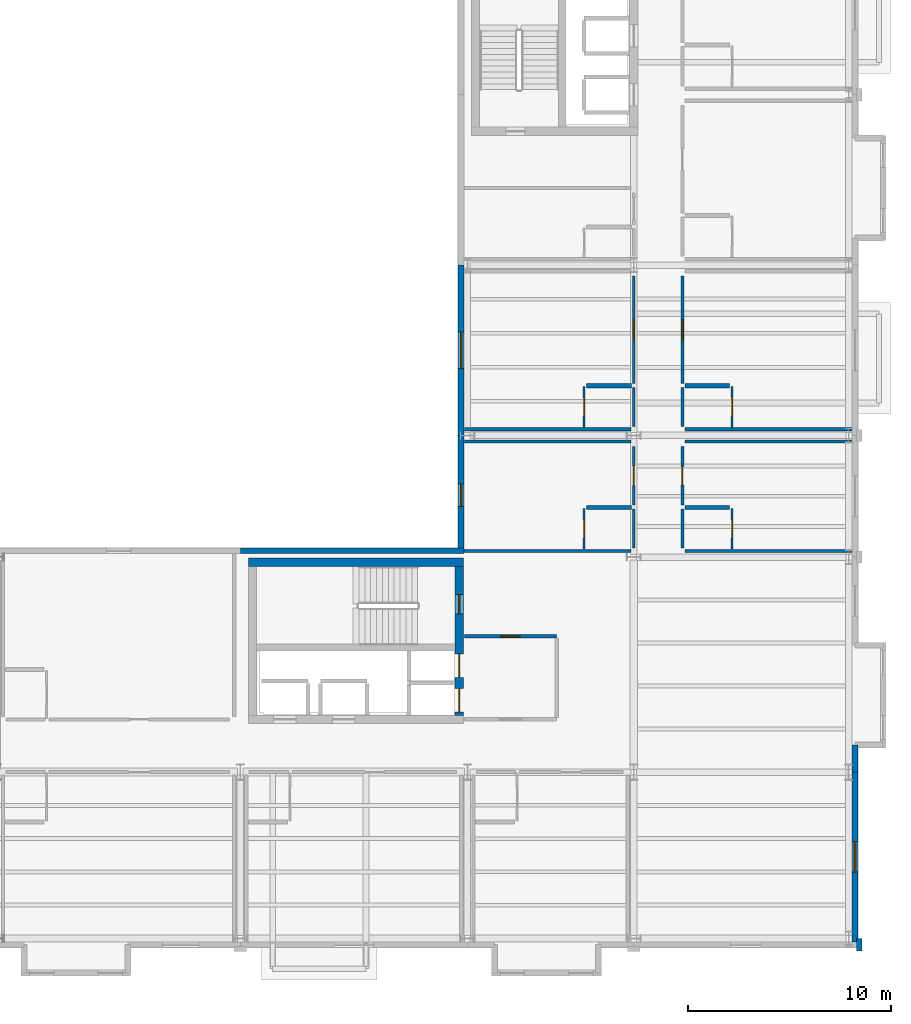
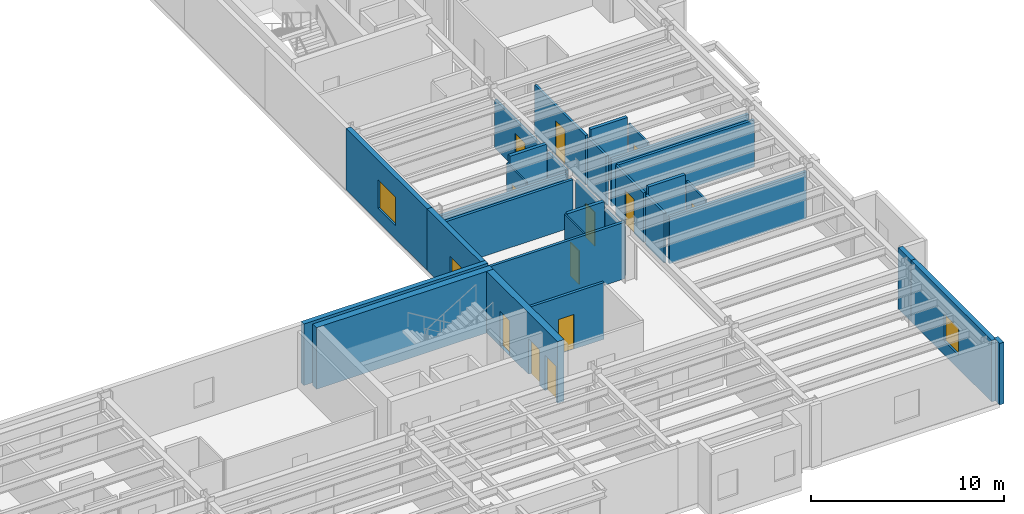
# One storey, part 36 of 46: 31 walls, 12 doors, 3 windows, 15 openings.
"""IFC4 building model written with IfcOpenShell, lengths in metres."""

from ifc_helpers import new_model, si_unit, direction, frame, frame_2d, origin, place, context, subcontext, project, spatial, rectangle, extrude, material, layer, layer_set, type_object, element, fill, save


model = new_model("IFC4")

# Units and contexts
model_context = context("Model", 3, precision=1e-05, world=origin(), true_north=direction((0.0, 1.0)))
body_context = subcontext(model_context, "Body", "Model", "MODEL_VIEW")
ifc_project = project(units=[si_unit("LENGTHUNIT", "METRE"), si_unit("AREAUNIT", "SQUARE_METRE"), si_unit("VOLUMEUNIT", "CUBIC_METRE"), si_unit("PLANEANGLEUNIT", "RADIAN"), si_unit("MASSUNIT", "GRAM", prefix="KILO")], contexts=[model_context])

# Site, building, storey
site_placement = place(None, origin())
site = spatial("IfcSite", under=ifc_project, at=site_placement, CompositionType="ELEMENT")
building_placement = place(site_placement, origin())
building = spatial("IfcBuilding", under=site, at=building_placement, Name="Sollismere Congress Hotel", CompositionType="ELEMENT")
storey_placement = place(building_placement, frame((0.0, 0.0, 19.5)))
storey = spatial("IfcBuildingStorey", under=building, at=storey_placement, Name="L04", CompositionType="ELEMENT", Elevation=19.5)

# Wall, opening, window
ifc_material_1 = material(Name="Colorado Buff Sandstone Rainscreen on Insulated Backup", Category="masonry")
ifc_layer_1 = layer(ifc_material_1, 0.284912109375, Name="Colorado Buff Sandstone Rainscreen on Insulated Backup")
ifc_layer_set_1 = layer_set([ifc_layer_1], Name="Colorado Buff Sandstone Rainscreen on Insulated Backup")
wall_type_1 = type_object("IfcWallType", Name="WL-EXT285", PredefinedType="STANDARD", material=ifc_layer_set_1)
wall_1_placement = place(storey_placement, frame((166.31005859375, -0.16552734375, 0.0), z_axis=(0.0, 0.0, 1.0), x_axis=(0.0, 1.0, 0.0)))
wall_1 = element("IfcWall", 1, at=wall_1_placement, inside=storey, type_object=wall_type_1, Name="Exterior wall EW-L04-519", PredefinedType="STANDARD", context=body_context, shape_type="SweptSolid", body=[
    extrude(rectangle(XDim=8.365478515625, YDim=0.284912109375, at=frame_2d((4.1826171875, 0.0))), origin(), (0.0, 0.0, 1.0), 3.89990234375),
])
opening_1_placement = place(wall_1_placement, frame((3.4326171875, 0.0, 0.8798828125)))
opening_1 = element("IfcOpeningElement", 2, at=opening_1_placement, cuts=wall_1, Name="Opening W-L04-394", PredefinedType="OPENING", context=body_context, shape_type="SweptSolid", body=[
    extrude(rectangle(XDim=1.5, YDim=1.699951171875, at=frame_2d((0.75, 0.85009765625))), frame((0.0, 0.15234375, 0.0), z_axis=(0.0, -1.0, 0.0), x_axis=(1.0, 0.0, 0.0)), (0.0, 0.0, 1.0), 0.304931640625),
])
ifc_material_2 = material(Name="Thermally Broken Bronze Aluminum & Low-E Glass", Category="aluminium")
window_type_1 = type_object("IfcWindowType", Name="WN-P150x170", PartitioningType="SINGLE_PANEL", PredefinedType="WINDOW", material=ifc_material_2)
window_1_placement = place(opening_1_placement, origin())
window_1 = element("IfcWindow", 3, at=window_1_placement, inside=storey, type_object=window_type_1, Name="WIN-W-L04-394", OverallHeight=1.699951171875, OverallWidth=1.5, PartitioningType="SINGLE_PANEL", PredefinedType="WINDOW", context=body_context, shape_type="SweptSolid", body=[
    extrude(rectangle(XDim=1.5, YDim=1.699951171875, at=frame_2d((0.75, 0.85009765625))), frame((0.0, 0.030029296875, 0.0), z_axis=(0.0, -1.0, 0.0), x_axis=(1.0, 0.0, 0.0)), (0.0, 0.0, 1.0), 0.06005859375),
])
fill(opening_1, window_1)

# Walls
wall_2_placement = place(storey_placement, frame((166.31005859375, 8.199951171875, 0.0), z_axis=(0.0, 0.0, 1.0), x_axis=(0.0, 1.0, 0.0)))
element("IfcWall", 4, at=wall_2_placement, inside=storey, type_object=wall_type_1, Name="Exterior wall EW-L04-521", PredefinedType="STANDARD", context=body_context, shape_type="SweptSolid", body=[
    extrude(rectangle(XDim=1.340087890625, YDim=0.284912109375, at=frame_2d((0.669921875, 0.0))), origin(), (0.0, 0.0, 1.0), 3.89990234375),
])
wall_3_placement = place(storey_placement, frame((147.030029296875, 19.110107421875, 0.0), z_axis=(0.0, 0.0, 1.0), x_axis=(-1.0, 0.0, 0.0)))
element("IfcWall", 5, at=wall_3_placement, inside=storey, type_object=wall_type_1, Name="Exterior wall EW-L04-555", PredefinedType="STANDARD", context=body_context, shape_type="SweptSolid", body=[
    extrude(rectangle(XDim=11.030029296875, YDim=0.284912109375, at=frame_2d((5.51513671875, 0.0))), origin(), (0.0, 0.0, 1.0), 3.89990234375),
])

# Wall, opening, window
wall_4_placement = place(storey_placement, frame((146.889892578125, 19.25439453125, 0.0), z_axis=(0.0, 0.0, 1.0), x_axis=(0.0, 1.0, 0.0)))
wall_4 = element("IfcWall", 6, at=wall_4_placement, inside=storey, type_object=wall_type_1, Name="Exterior wall EW-L04-556", PredefinedType="STANDARD", context=body_context, shape_type="SweptSolid", body=[
    extrude(rectangle(XDim=5.545654296875, YDim=0.284912109375, at=frame_2d((2.77294921875, 0.0))), origin(), (0.0, 0.0, 1.0), 3.89990234375),
])
opening_2_placement = place(wall_4_placement, frame((2.047607421875, 0.0, 0.85009765625)))
opening_2 = element("IfcOpeningElement", 7, at=opening_2_placement, cuts=wall_4, Name="Opening W-L04-417", PredefinedType="OPENING", context=body_context, shape_type="SweptSolid", body=[
    extrude(rectangle(XDim=1.10009765625, YDim=1.5, at=frame_2d((0.550048828125, 0.75))), frame((0.0, 0.15234375, 0.0), z_axis=(0.0, -1.0, 0.0), x_axis=(1.0, 0.0, 0.0)), (0.0, 0.0, 1.0), 0.304931640625),
])
window_type_2 = type_object("IfcWindowType", Name="WN-P110x150", PartitioningType="SINGLE_PANEL", PredefinedType="WINDOW", material=ifc_material_2)
window_2_placement = place(opening_2_placement, origin())
window_2 = element("IfcWindow", 8, at=window_2_placement, inside=storey, type_object=window_type_2, Name="WIN-W-L04-417", OverallHeight=1.5, OverallWidth=1.10009765625, PartitioningType="SINGLE_PANEL", PredefinedType="WINDOW", context=body_context, shape_type="SweptSolid", body=[
    extrude(rectangle(XDim=1.10009765625, YDim=1.5, at=frame_2d((0.550048828125, 0.75))), frame((0.0, 0.030029296875, 0.0), z_axis=(0.0, -1.0, 0.0), x_axis=(1.0, 0.0, 0.0)), (0.0, 0.0, 1.0), 0.06005859375),
])
fill(opening_2, window_2)

wall_5_placement = place(storey_placement, frame((146.889892578125, 24.800048828125, 0.0), z_axis=(0.0, 0.0, 1.0), x_axis=(0.0, 1.0, 0.0)))
wall_5 = element("IfcWall", 9, at=wall_5_placement, inside=storey, type_object=wall_type_1, Name="Exterior wall EW-L04-557", PredefinedType="STANDARD", context=body_context, shape_type="SweptSolid", body=[
    extrude(rectangle(XDim=8.39990234375, YDim=0.284912109375, at=frame_2d((4.199951171875, 0.0))), origin(), (0.0, 0.0, 1.0), 3.89990234375),
])
opening_3_placement = place(wall_5_placement, frame((3.300048828125, 0.0, 0.85009765625)))
opening_3 = element("IfcOpeningElement", 10, at=opening_3_placement, cuts=wall_5, Name="Opening W-L04-418", PredefinedType="OPENING", context=body_context, shape_type="SweptSolid", body=[
    extrude(rectangle(XDim=1.800048828125, YDim=1.800048828125, at=frame_2d((0.89990234375, 0.89990234375))), frame((0.0, 0.15234375, 0.0), z_axis=(0.0, -1.0, 0.0), x_axis=(1.0, 0.0, 0.0)), (0.0, 0.0, 1.0), 0.304931640625),
])
window_type_3 = type_object("IfcWindowType", Name="WN-P180x180", PartitioningType="SINGLE_PANEL", PredefinedType="WINDOW", material=ifc_material_2)
window_3_placement = place(opening_3_placement, origin())
window_3 = element("IfcWindow", 11, at=window_3_placement, inside=storey, type_object=window_type_3, Name="WIN-W-L04-418", OverallHeight=1.800048828125, OverallWidth=1.800048828125, PartitioningType="SINGLE_PANEL", PredefinedType="WINDOW", context=body_context, shape_type="SweptSolid", body=[
    extrude(rectangle(XDim=1.800048828125, YDim=1.800048828125, at=frame_2d((0.89990234375, 0.89990234375))), frame((0.0, 0.030029296875, 0.0), z_axis=(0.0, -1.0, 0.0), x_axis=(1.0, 0.0, 0.0)), (0.0, 0.0, 1.0), 0.06005859375),
])
fill(opening_3, window_3)

# Walls
ifc_material_3 = material(Name="Carved Travertine Pilaster & Frieze Assembly", Category="masonry")
ifc_layer_2 = layer(ifc_material_3, 0.260009765625, Name="Carved Travertine Pilaster & Frieze Assembly")
ifc_layer_set_2 = layer_set([ifc_layer_2], Name="Carved Travertine Pilaster & Frieze Assembly")
wall_type_2 = type_object("IfcWallType", Name="WL-PIL280", PredefinedType="ELEMENTEDWALL", material=ifc_layer_set_2)
wall_6_placement = place(storey_placement, frame((166.52001953125, -0.610107421875, 0.0), z_axis=(0.0, 0.0, 1.0), x_axis=(0.0, 1.0, 0.0)))
element("IfcWall", 12, at=wall_6_placement, inside=storey, type_object=wall_type_2, Name="Exterior wall EW-L04-520", PredefinedType="ELEMENTEDWALL", context=body_context, shape_type="SweptSolid", body=[
    extrude(rectangle(XDim=0.60009765625, YDim=0.260009765625, at=frame_2d((0.300048828125, 0.0))), origin(), (0.0, 0.0, 1.0), 3.89990234375),
])
ifc_material_4 = material(Name="Moisture-Resistant Shaft Gypsum Assembly")
ifc_layer_3 = layer(ifc_material_4, 0.199951171875, Name="Moisture-Resistant Shaft Gypsum Assembly")
ifc_layer_set_3 = layer_set([ifc_layer_3], Name="Moisture-Resistant Shaft Gypsum Assembly")
wall_type_3 = type_object("IfcWallType", Name="WL-PLM200", PredefinedType="PLUMBINGWALL", material=ifc_layer_set_3)
for number, where, z_axis, x_axis, name in (
    (13, (157.919921875, 21.25, 0.0), (0.0, 0.0, 1.0), (1.0, 0.0, 0.0), "Interior wall IW-L04-1649"),
    (14, (153.070068359375, 21.25, 0.0), (0.0, 0.0, 1.0), (1.0, 0.0, 0.0), "Interior wall IW-L04-1655"),
    (15, (157.919921875, 27.25, 0.0), (0.0, 0.0, 1.0), (1.0, 0.0, 0.0), "Interior wall IW-L04-1661"),
    (16, (153.070068359375, 27.25, 0.0), (0.0, 0.0, 1.0), (1.0, 0.0, 0.0), "Interior wall IW-L04-1667"),
):
    element("IfcWall", number, at=place(storey_placement, frame(where, z_axis=z_axis, x_axis=x_axis)), inside=storey, type_object=wall_type_3, Name=name, PredefinedType="PLUMBINGWALL", context=body_context, shape_type="SweptSolid", body=[
        extrude(rectangle(XDim=2.2099609375, YDim=0.199951171875, at=frame_2d((1.10498046875, 0.0))), origin(), (0.0, 0.0, 1.0), 3.5849609375),
    ])

# Wall, opening, door
ifc_material_5 = material(Name="Moisture-Resistant Gypsum Partition")
ifc_layer_4 = layer(ifc_material_5, 0.10009765625, Name="Moisture-Resistant Gypsum Partition")
ifc_layer_set_4 = layer_set([ifc_layer_4], Name="Moisture-Resistant Gypsum Partition")
wall_type_4 = type_object("IfcWallType", Name="WL-PRT100", PredefinedType="PARTITIONING", material=ifc_layer_set_4)
wall_7_placement = place(storey_placement, frame((160.25, 19.194580078125, 0.0), z_axis=(0.0, 0.0, 1.0), x_axis=(0.0, 1.0, 0.0)))
wall_7 = element("IfcWall", 17, at=wall_7_placement, inside=storey, type_object=wall_type_4, Name="Interior wall IW-L04-1650", PredefinedType="PARTITIONING", context=body_context, shape_type="SweptSolid", body=[
    extrude(rectangle(XDim=2.015380859375, YDim=0.10009765625, at=frame_2d((1.0078125, 0.0))), origin(), (0.0, 0.0, 1.0), 3.14306640625),
])
opening_4_placement = place(wall_7_placement, frame((0.554931640625, 0.0, 0.0)))
opening_4 = element("IfcOpeningElement", 18, at=opening_4_placement, cuts=wall_7, Name="Opening D-L04-0582", PredefinedType="OPENING", context=body_context, shape_type="SweptSolid", body=[
    extrude(rectangle(XDim=0.905029296875, YDim=2.10009765625, at=frame_2d((0.45263671875, 1.050048828125))), frame((0.0, 0.06005859375, 0.0), z_axis=(0.0, -1.0, 0.0), x_axis=(1.0, 0.0, 0.0)), (0.0, 0.0, 1.0), 0.1201171875),
])
ifc_material_6 = material(Name="Moisture-Sealed Timber Bathroom Door", Category="wood")
door_type_1 = type_object("IfcDoorType", Name="DR-BT02", OperationType="NOTDEFINED", PredefinedType="DOOR", material=ifc_material_6)
door_1_placement = place(opening_4_placement, origin())
door_1 = element("IfcDoor", 19, at=door_1_placement, inside=storey, type_object=door_type_1, Name="En-suite bathroom door D-L04-0582", OperationType="SINGLE_SWING_LEFT", OverallHeight=2.10009765625, OverallWidth=0.905029296875, PredefinedType="DOOR", context=body_context, shape_type="SweptSolid", body=[
    extrude(rectangle(XDim=0.905029296875, YDim=2.10009765625, at=frame_2d((0.45263671875, 1.050048828125))), frame((0.0, 0.02490234375, 0.0), z_axis=(0.0, -1.0, 0.0), x_axis=(1.0, 0.0, 0.0)), (0.0, 0.0, 1.0), 0.050048828125),
])
fill(opening_4, door_1)

wall_8_placement = place(storey_placement, frame((152.949951171875, 19.194580078125, 0.0), z_axis=(0.0, 0.0, 1.0), x_axis=(0.0, 1.0, 0.0)))
wall_8 = element("IfcWall", 20, at=wall_8_placement, inside=storey, type_object=wall_type_4, Name="Interior wall IW-L04-1656", PredefinedType="PARTITIONING", context=body_context, shape_type="SweptSolid", body=[
    extrude(rectangle(XDim=2.015380859375, YDim=0.10009765625, at=frame_2d((1.0078125, 0.0))), origin(), (0.0, 0.0, 1.0), 3.5849609375),
])
opening_5_placement = place(wall_8_placement, frame((0.54296875, 0.0, 0.0)))
opening_5 = element("IfcOpeningElement", 21, at=opening_5_placement, cuts=wall_8, Name="Opening D-L04-0584", PredefinedType="OPENING", context=body_context, shape_type="SweptSolid", body=[
    extrude(rectangle(XDim=0.929931640625, YDim=2.139892578125, at=frame_2d((0.46484375, 1.06982421875))), frame((0.0, 0.06005859375, 0.0), z_axis=(0.0, -1.0, 0.0), x_axis=(1.0, 0.0, 0.0)), (0.0, 0.0, 1.0), 0.1201171875),
])
door_type_2 = type_object("IfcDoorType", Name="DR-BT03", OperationType="NOTDEFINED", PredefinedType="DOOR", material=ifc_material_6)
door_2_placement = place(opening_5_placement, origin())
door_2 = element("IfcDoor", 22, at=door_2_placement, inside=storey, type_object=door_type_2, Name="En-suite bathroom door D-L04-0584", OperationType="SINGLE_SWING_LEFT", OverallHeight=2.139892578125, OverallWidth=0.929931640625, PredefinedType="DOOR", context=body_context, shape_type="SweptSolid", body=[
    extrude(rectangle(XDim=0.929931640625, YDim=2.139892578125, at=frame_2d((0.46484375, 1.06982421875))), frame((0.0, 0.02490234375, 0.0), z_axis=(0.0, -1.0, 0.0), x_axis=(1.0, 0.0, 0.0)), (0.0, 0.0, 1.0), 0.050048828125),
])
fill(opening_5, door_2)

wall_9_placement = place(storey_placement, frame((160.25, 25.194580078125, 0.0), z_axis=(0.0, 0.0, 1.0), x_axis=(0.0, 1.0, 0.0)))
wall_9 = element("IfcWall", 23, at=wall_9_placement, inside=storey, type_object=wall_type_4, Name="Interior wall IW-L04-1662", PredefinedType="PARTITIONING", context=body_context, shape_type="SweptSolid", body=[
    extrude(rectangle(XDim=2.015380859375, YDim=0.10009765625, at=frame_2d((1.0078125, 0.0))), origin(), (0.0, 0.0, 1.0), 3.137939453125),
])
opening_6_placement = place(wall_9_placement, frame((0.530029296875, 0.0, 0.0)))
opening_6 = element("IfcOpeningElement", 24, at=opening_6_placement, cuts=wall_9, Name="Opening D-L04-0586", PredefinedType="OPENING", context=body_context, shape_type="SweptSolid", body=[
    extrude(rectangle(XDim=0.955078125, YDim=2.139892578125, at=frame_2d((0.4775390625, 1.06982421875))), frame((0.0, 0.06005859375, 0.0), z_axis=(0.0, -1.0, 0.0), x_axis=(1.0, 0.0, 0.0)), (0.0, 0.0, 1.0), 0.1201171875),
])
door_type_3 = type_object("IfcDoorType", Name="DR-BT04", OperationType="NOTDEFINED", PredefinedType="DOOR", material=ifc_material_6)
door_3_placement = place(opening_6_placement, origin())
door_3 = element("IfcDoor", 25, at=door_3_placement, inside=storey, type_object=door_type_3, Name="En-suite bathroom door D-L04-0586", OperationType="SINGLE_SWING_LEFT", OverallHeight=2.139892578125, OverallWidth=0.955078125, PredefinedType="DOOR", context=body_context, shape_type="SweptSolid", body=[
    extrude(rectangle(XDim=0.955078125, YDim=2.139892578125, at=frame_2d((0.4775390625, 1.06982421875))), frame((0.0, 0.02490234375, 0.0), z_axis=(0.0, -1.0, 0.0), x_axis=(1.0, 0.0, 0.0)), (0.0, 0.0, 1.0), 0.050048828125),
])
fill(opening_6, door_3)

wall_10_placement = place(storey_placement, frame((152.949951171875, 25.194580078125, 0.0), z_axis=(0.0, 0.0, 1.0), x_axis=(0.0, 1.0, 0.0)))
wall_10 = element("IfcWall", 26, at=wall_10_placement, inside=storey, type_object=wall_type_4, Name="Interior wall IW-L04-1668", PredefinedType="PARTITIONING", context=body_context, shape_type="SweptSolid", body=[
    extrude(rectangle(XDim=2.015380859375, YDim=0.10009765625, at=frame_2d((1.0078125, 0.0))), origin(), (0.0, 0.0, 1.0), 3.193115234375),
])
opening_7_placement = place(wall_10_placement, frame((0.568115234375, 0.0, 0.0)))
opening_7 = element("IfcOpeningElement", 27, at=opening_7_placement, cuts=wall_10, Name="Opening D-L04-0588", PredefinedType="OPENING", context=body_context, shape_type="SweptSolid", body=[
    extrude(rectangle(XDim=0.8798828125, YDim=2.179931640625, at=frame_2d((0.43994140625, 1.08984375))), frame((0.0, 0.06005859375, 0.0), z_axis=(0.0, -1.0, 0.0), x_axis=(1.0, 0.0, 0.0)), (0.0, 0.0, 1.0), 0.1201171875),
])
door_type_4 = type_object("IfcDoorType", Name="DR-BT05", OperationType="NOTDEFINED", PredefinedType="DOOR", material=ifc_material_6)
door_4_placement = place(opening_7_placement, origin())
door_4 = element("IfcDoor", 28, at=door_4_placement, inside=storey, type_object=door_type_4, Name="En-suite bathroom door D-L04-0588", OperationType="SINGLE_SWING_LEFT", OverallHeight=2.179931640625, OverallWidth=0.8798828125, PredefinedType="DOOR", context=body_context, shape_type="SweptSolid", body=[
    extrude(rectangle(XDim=0.8798828125, YDim=2.179931640625, at=frame_2d((0.43994140625, 1.08984375))), frame((0.0, 0.02490234375, 0.0), z_axis=(0.0, -1.0, 0.0), x_axis=(1.0, 0.0, 0.0)), (0.0, 0.0, 1.0), 0.050048828125),
])
fill(opening_7, door_4)

# Wall
ifc_material_7 = material(Name="Fire-Rated Gypsum Partition")
ifc_layer_5 = layer(ifc_material_7, 0.139892578125, Name="Fire-Rated Gypsum Partition")
ifc_layer_set_5 = layer_set([ifc_layer_5], Name="Fire-Rated Gypsum Partition")
wall_type_5 = type_object("IfcWallType", Name="WL-PRT140R", PredefinedType="PARTITIONING", material=ifc_layer_set_5)
wall_11_placement = place(storey_placement, frame((157.800048828125, 19.239990234375, 0.0), z_axis=(0.0, 0.0, 1.0), x_axis=(0.0, 1.0, 0.0)))
element("IfcWall", 29, at=wall_11_placement, inside=storey, type_object=wall_type_5, Name="Interior wall IW-L04-1645", PredefinedType="PARTITIONING", context=body_context, shape_type="SweptSolid", body=[
    extrude(rectangle(XDim=1.929931640625, YDim=0.139892578125, at=frame_2d((0.96484375, 0.0))), origin(), (0.0, 0.0, 1.0), 3.14306640625),
])

# Wall, opening, door
wall_12_placement = place(storey_placement, frame((157.800048828125, 21.3701171875, 0.0), z_axis=(0.0, 0.0, 1.0), x_axis=(0.0, 1.0, 0.0)))
wall_12 = element("IfcWall", 30, at=wall_12_placement, inside=storey, type_object=wall_type_5, Name="Interior wall IW-L04-1646", PredefinedType="PARTITIONING", context=body_context, shape_type="SweptSolid", body=[
    extrude(rectangle(XDim=2.889892578125, YDim=0.139892578125, at=frame_2d((1.44482421875, 0.0))), origin(), (0.0, 0.0, 1.0), 3.14306640625),
])
opening_8_placement = place(wall_12_placement, frame((0.985107421875, 0.0, 0.0)))
opening_8 = element("IfcOpeningElement", 31, at=opening_8_placement, cuts=wall_12, Name="Opening D-L04-0581", PredefinedType="OPENING", context=body_context, shape_type="SweptSolid", body=[
    extrude(rectangle(XDim=0.919921875, YDim=2.14990234375, at=frame_2d((0.4599609375, 1.074951171875))), frame((0.0, 0.079833984375, 0.0), z_axis=(0.0, -1.0, 0.0), x_axis=(1.0, 0.0, 0.0)), (0.0, 0.0, 1.0), 0.159912109375),
])
ifc_material_8 = material(Name="Solid-Core Acoustic Walnut Guestroom Entry Door")
door_type_5 = type_object("IfcDoorType", Name="DR-KY01", OperationType="NOTDEFINED", PredefinedType="DOOR", material=ifc_material_8)
door_5_placement = place(opening_8_placement, origin())
door_5 = element("IfcDoor", 32, at=door_5_placement, inside=storey, type_object=door_type_5, Name="Hotel room entry door D-L04-0581", OperationType="SINGLE_SWING_RIGHT", OverallHeight=2.14990234375, OverallWidth=0.919921875, PredefinedType="DOOR", context=body_context, shape_type="SweptSolid", body=[
    extrude(rectangle(XDim=0.919921875, YDim=2.14990234375, at=frame_2d((0.4599609375, 1.074951171875))), frame((0.0, 0.02490234375, 0.0), z_axis=(0.0, -1.0, 0.0), x_axis=(1.0, 0.0, 0.0)), (0.0, 0.0, 1.0), 0.050048828125),
])
fill(opening_8, door_5)

# Wall
wall_13_placement = place(storey_placement, frame((155.39990234375, 19.239990234375, 0.0), z_axis=(0.0, 0.0, 1.0), x_axis=(0.0, 1.0, 0.0)))
element("IfcWall", 33, at=wall_13_placement, inside=storey, type_object=wall_type_5, Name="Interior wall IW-L04-1651", PredefinedType="PARTITIONING", context=body_context, shape_type="SweptSolid", body=[
    extrude(rectangle(XDim=1.929931640625, YDim=0.139892578125, at=frame_2d((0.96484375, 0.0))), origin(), (0.0, 0.0, 1.0), 3.05908203125),
])

# Wall, opening, door
wall_14_placement = place(storey_placement, frame((155.39990234375, 21.3701171875, 0.0), z_axis=(0.0, 0.0, 1.0), x_axis=(0.0, 1.0, 0.0)))
wall_14 = element("IfcWall", 34, at=wall_14_placement, inside=storey, type_object=wall_type_5, Name="Interior wall IW-L04-1652", PredefinedType="PARTITIONING", context=body_context, shape_type="SweptSolid", body=[
    extrude(rectangle(XDim=2.889892578125, YDim=0.139892578125, at=frame_2d((1.44482421875, 0.0))), origin(), (0.0, 0.0, 1.0), 3.05908203125),
])
opening_9_placement = place(wall_14_placement, frame((0.969970703125, 0.0, 0.0)))
opening_9 = element("IfcOpeningElement", 35, at=opening_9_placement, cuts=wall_14, Name="Opening D-L04-0583", PredefinedType="OPENING", context=body_context, shape_type="SweptSolid", body=[
    extrude(rectangle(XDim=0.949951171875, YDim=2.14990234375, at=frame_2d((0.47509765625, 1.074951171875))), frame((0.0, 0.079833984375, 0.0), z_axis=(0.0, -1.0, 0.0), x_axis=(1.0, 0.0, 0.0)), (0.0, 0.0, 1.0), 0.159912109375),
])
door_type_6 = type_object("IfcDoorType", Name="DR-KY02", OperationType="NOTDEFINED", PredefinedType="DOOR", material=ifc_material_8)
door_6_placement = place(opening_9_placement, origin())
door_6 = element("IfcDoor", 36, at=door_6_placement, inside=storey, type_object=door_type_6, Name="Hotel room entry door D-L04-0583", OperationType="SINGLE_SWING_RIGHT", OverallHeight=2.14990234375, OverallWidth=0.949951171875, PredefinedType="DOOR", context=body_context, shape_type="SweptSolid", body=[
    extrude(rectangle(XDim=0.949951171875, YDim=2.14990234375, at=frame_2d((0.47509765625, 1.074951171875))), frame((0.0, 0.02490234375, 0.0), z_axis=(0.0, -1.0, 0.0), x_axis=(1.0, 0.0, 0.0)), (0.0, 0.0, 1.0), 0.050048828125),
])
fill(opening_9, door_6)

# Wall
wall_15_placement = place(storey_placement, frame((157.800048828125, 25.239990234375, 0.0), z_axis=(0.0, 0.0, 1.0), x_axis=(0.0, 1.0, 0.0)))
element("IfcWall", 37, at=wall_15_placement, inside=storey, type_object=wall_type_5, Name="Interior wall IW-L04-1657", PredefinedType="PARTITIONING", context=body_context, shape_type="SweptSolid", body=[
    extrude(rectangle(XDim=1.929931640625, YDim=0.139892578125, at=frame_2d((0.96484375, 0.0))), origin(), (0.0, 0.0, 1.0), 3.137939453125),
])

# Wall, opening, door
wall_16_placement = place(storey_placement, frame((157.800048828125, 27.3701171875, 0.0), z_axis=(0.0, 0.0, 1.0), x_axis=(0.0, 1.0, 0.0)))
wall_16 = element("IfcWall", 38, at=wall_16_placement, inside=storey, type_object=wall_type_5, Name="Interior wall IW-L04-1658", PredefinedType="PARTITIONING", context=body_context, shape_type="SweptSolid", body=[
    extrude(rectangle(XDim=5.289794921875, YDim=0.139892578125, at=frame_2d((2.64501953125, 0.0))), origin(), (0.0, 0.0, 1.0), 3.137939453125),
])
opening_10_placement = place(wall_16_placement, frame((2.155029296875, 0.0, 0.0)))
opening_10 = element("IfcOpeningElement", 39, at=opening_10_placement, cuts=wall_16, Name="Opening D-L04-0585", PredefinedType="OPENING", context=body_context, shape_type="SweptSolid", body=[
    extrude(rectangle(XDim=0.97998046875, YDim=2.199951171875, at=frame_2d((0.489990234375, 1.10009765625))), frame((0.0, 0.079833984375, 0.0), z_axis=(0.0, -1.0, 0.0), x_axis=(1.0, 0.0, 0.0)), (0.0, 0.0, 1.0), 0.159912109375),
])
door_type_7 = type_object("IfcDoorType", Name="DR-KY03", OperationType="NOTDEFINED", PredefinedType="DOOR", material=ifc_material_8)
door_7_placement = place(opening_10_placement, origin())
door_7 = element("IfcDoor", 40, at=door_7_placement, inside=storey, type_object=door_type_7, Name="Hotel room entry door D-L04-0585", OperationType="SINGLE_SWING_RIGHT", OverallHeight=2.199951171875, OverallWidth=0.97998046875, PredefinedType="DOOR", context=body_context, shape_type="SweptSolid", body=[
    extrude(rectangle(XDim=0.97998046875, YDim=2.199951171875, at=frame_2d((0.489990234375, 1.10009765625))), frame((0.0, 0.02490234375, 0.0), z_axis=(0.0, -1.0, 0.0), x_axis=(1.0, 0.0, 0.0)), (0.0, 0.0, 1.0), 0.050048828125),
])
fill(opening_10, door_7)

# Wall
wall_17_placement = place(storey_placement, frame((155.39990234375, 25.239990234375, 0.0), z_axis=(0.0, 0.0, 1.0), x_axis=(0.0, 1.0, 0.0)))
element("IfcWall", 41, at=wall_17_placement, inside=storey, type_object=wall_type_5, Name="Interior wall IW-L04-1663", PredefinedType="PARTITIONING", context=body_context, shape_type="SweptSolid", body=[
    extrude(rectangle(XDim=1.929931640625, YDim=0.139892578125, at=frame_2d((0.96484375, 0.0))), origin(), (0.0, 0.0, 1.0), 3.05908203125),
])

# Wall, opening, door
wall_18_placement = place(storey_placement, frame((155.39990234375, 27.3701171875, 0.0), z_axis=(0.0, 0.0, 1.0), x_axis=(0.0, 1.0, 0.0)))
wall_18 = element("IfcWall", 42, at=wall_18_placement, inside=storey, type_object=wall_type_5, Name="Interior wall IW-L04-1664", PredefinedType="PARTITIONING", context=body_context, shape_type="SweptSolid", body=[
    extrude(rectangle(XDim=5.289794921875, YDim=0.139892578125, at=frame_2d((2.64501953125, 0.0))), origin(), (0.0, 0.0, 1.0), 3.05908203125),
])
opening_11_placement = place(wall_18_placement, frame((2.139892578125, 0.0, 0.0)))
opening_11 = element("IfcOpeningElement", 43, at=opening_11_placement, cuts=wall_18, Name="Opening D-L04-0587", PredefinedType="OPENING", context=body_context, shape_type="SweptSolid", body=[
    extrude(rectangle(XDim=1.010009765625, YDim=2.199951171875, at=frame_2d((0.5048828125, 1.10009765625))), frame((0.0, 0.079833984375, 0.0), z_axis=(0.0, -1.0, 0.0), x_axis=(1.0, 0.0, 0.0)), (0.0, 0.0, 1.0), 0.159912109375),
])
door_type_8 = type_object("IfcDoorType", Name="DR-KY04", OperationType="NOTDEFINED", PredefinedType="DOOR", material=ifc_material_8)
door_8_placement = place(opening_11_placement, origin())
door_8 = element("IfcDoor", 44, at=door_8_placement, inside=storey, type_object=door_type_8, Name="Hotel room entry door D-L04-0587", OperationType="SINGLE_SWING_RIGHT", OverallHeight=2.199951171875, OverallWidth=1.010009765625, PredefinedType="DOOR", context=body_context, shape_type="SweptSolid", body=[
    extrude(rectangle(XDim=1.010009765625, YDim=2.199951171875, at=frame_2d((0.5048828125, 1.10009765625))), frame((0.0, 0.02490234375, 0.0), z_axis=(0.0, -1.0, 0.0), x_axis=(1.0, 0.0, 0.0)), (0.0, 0.0, 1.0), 0.050048828125),
])
fill(opening_11, door_8)

ifc_material_9 = material(Name="Fire-Rated Acoustic Gypsum Partition")
ifc_layer_6 = layer(ifc_material_9, 0.1650390625, Name="Fire-Rated Acoustic Gypsum Partition")
ifc_layer_set_6 = layer_set([ifc_layer_6], Name="Fire-Rated Acoustic Gypsum Partition")
wall_type_6 = type_object("IfcWallType", Name="WL-PRT165R", PredefinedType="PARTITIONING", material=ifc_layer_set_6)
wall_19_placement = place(storey_placement, frame((147.050048828125, 14.89990234375, 0.0), z_axis=(0.0, 0.0, 1.0), x_axis=(1.0, 0.0, 0.0)))
wall_19 = element("IfcWall", 45, at=wall_19_placement, inside=storey, type_object=wall_type_6, Name="Interior wall IW-L04-0095", PredefinedType="PARTITIONING", context=body_context, shape_type="SweptSolid", body=[
    extrude(rectangle(XDim=4.550048828125, YDim=0.1650390625, at=frame_2d((2.27490234375, 0.0))), origin(), (0.0, 0.0, 1.0), 3.5849609375),
])
opening_12_placement = place(wall_19_placement, frame((1.800048828125, 0.0, 0.0)))
opening_12 = element("IfcOpeningElement", 46, at=opening_12_placement, cuts=wall_19, Name="Opening D-FFS-L04", PredefinedType="OPENING", context=body_context, shape_type="SweptSolid", body=[
    extrude(rectangle(XDim=0.949951171875, YDim=2.199951171875, at=frame_2d((0.47509765625, 1.10009765625))), frame((0.0, 0.092529296875, 0.0), z_axis=(0.0, -1.0, 0.0), x_axis=(1.0, 0.0, 0.0)), (0.0, 0.0, 1.0), 0.18505859375),
])
ifc_material_10 = material(Name="Fire-Rated Insulated Steel Door", Category="steel")
door_type_9 = type_object("IfcDoorType", Name="DR-FD90", OperationType="NOTDEFINED", PredefinedType="DOOR", material=ifc_material_10)
door_9_placement = place(opening_12_placement, origin())
door_9 = element("IfcDoor", 47, at=door_9_placement, inside=storey, type_object=door_type_9, Name="Firefighting stair vestibule door D-FFS-L04", OperationType="SINGLE_SWING_RIGHT", OverallHeight=2.199951171875, OverallWidth=0.949951171875, PredefinedType="DOOR", context=body_context, shape_type="SweptSolid", body=[
    extrude(rectangle(XDim=0.949951171875, YDim=2.199951171875, at=frame_2d((0.47509765625, 1.10009765625))), frame((0.0, 0.02490234375, 0.0), z_axis=(0.0, -1.0, 0.0), x_axis=(1.0, 0.0, 0.0)), (0.0, 0.0, 1.0), 0.050048828125),
])
fill(opening_12, door_9)

# Walls
for number, where, z_axis, x_axis, name in (
    (48, (157.93994140625, 19.10009765625, 0.0), (0.0, 0.0, 1.0), (1.0, 0.0, 0.0), "Interior wall IW-L04-1647"),
    (49, (157.93994140625, 24.5, 0.0), (0.0, 0.0, 1.0), (1.0, 0.0, 0.0), "Interior wall IW-L04-1648"),
):
    element("IfcWall", number, at=place(storey_placement, frame(where, z_axis=z_axis, x_axis=x_axis)), inside=storey, type_object=wall_type_6, Name=name, PredefinedType="PARTITIONING", context=body_context, shape_type="SweptSolid", body=[
        extrude(rectangle(XDim=8.212646484375, YDim=0.1650390625, at=frame_2d((4.1064453125, 0.0))), origin(), (0.0, 0.0, 1.0), 2.97509765625),
    ])
wall_20_placement = place(storey_placement, frame((147.0400390625, 19.10009765625, 0.0), z_axis=(0.0, 0.0, 1.0), x_axis=(1.0, 0.0, 0.0)))
element("IfcWall", 50, at=wall_20_placement, inside=storey, type_object=wall_type_6, Name="Interior wall IW-L04-1653", PredefinedType="PARTITIONING", context=body_context, shape_type="SweptSolid", body=[
    extrude(rectangle(XDim=8.219970703125, YDim=0.1650390625, at=frame_2d((4.10986328125, 0.0))), origin(), (0.0, 0.0, 1.0), 3.5849609375),
])
wall_21_placement = place(storey_placement, frame((147.047607421875, 24.5, 0.0), z_axis=(0.0, 0.0, 1.0), x_axis=(1.0, 0.0, 0.0)))
element("IfcWall", 51, at=wall_21_placement, inside=storey, type_object=wall_type_6, Name="Interior wall IW-L04-1654", PredefinedType="PARTITIONING", context=body_context, shape_type="SweptSolid", body=[
    extrude(rectangle(XDim=8.21240234375, YDim=0.1650390625, at=frame_2d((4.106201171875, 0.0))), origin(), (0.0, 0.0, 1.0), 2.998046875),
])
wall_22_placement = place(storey_placement, frame((157.93994140625, 25.10009765625, 0.0), z_axis=(0.0, 0.0, 1.0), x_axis=(1.0, 0.0, 0.0)))
element("IfcWall", 52, at=wall_22_placement, inside=storey, type_object=wall_type_6, Name="Interior wall IW-L04-1659", PredefinedType="PARTITIONING", context=body_context, shape_type="SweptSolid", body=[
    extrude(rectangle(XDim=8.212646484375, YDim=0.1650390625, at=frame_2d((4.1064453125, 0.0))), origin(), (0.0, 0.0, 1.0), 2.97509765625),
])
wall_23_placement = place(storey_placement, frame((147.047607421875, 25.10009765625, 0.0), z_axis=(0.0, 0.0, 1.0), x_axis=(1.0, 0.0, 0.0)))
element("IfcWall", 53, at=wall_23_placement, inside=storey, type_object=wall_type_6, Name="Interior wall IW-L04-1665", PredefinedType="PARTITIONING", context=body_context, shape_type="SweptSolid", body=[
    extrude(rectangle(XDim=8.21240234375, YDim=0.1650390625, at=frame_2d((4.106201171875, 0.0))), origin(), (0.0, 0.0, 1.0), 2.998046875),
])
ifc_material_11 = material(Name="Concrete C50/60", Category="concrete")
ifc_layer_7 = layer(ifc_material_11, 0.39990234375, Name="Concrete C50/60")
ifc_layer_set_7 = layer_set([ifc_layer_7], Name="Concrete C50/60")
wall_type_7 = type_object("IfcWallType", Name="WL-SHR400", PredefinedType="SHEAR", material=ifc_layer_set_7)
wall_24_placement = place(storey_placement, frame((147.0, 18.550048828125, 0.0), z_axis=(0.0, 0.0, 1.0), x_axis=(-1.0, 0.0, 0.0)))
element("IfcWall", 54, at=wall_24_placement, inside=storey, type_object=wall_type_7, Name="Interior wall IW-L04-0082", PredefinedType="SHEAR", context=body_context, shape_type="SweptSolid", body=[
    extrude(rectangle(XDim=10.60009765625, YDim=0.39990234375, at=frame_2d((5.300048828125, 0.0))), origin(), (0.0, 0.0, 1.0), 3.89990234375),
])

# Wall, openings, doors
wall_25_placement = place(storey_placement, frame((146.800048828125, 11.0, 0.0), z_axis=(0.0, 0.0, 1.0), x_axis=(0.0, 1.0, 0.0)))
wall_25 = element("IfcWall", 55, at=wall_25_placement, inside=storey, type_object=wall_type_7, Name="Interior wall IW-L04-0084", PredefinedType="SHEAR", context=body_context, shape_type="SweptSolid", body=[
    extrude(rectangle(XDim=7.35009765625, YDim=0.39990234375, at=frame_2d((3.675048828125, 0.0))), origin(), (0.0, 0.0, 1.0), 3.89990234375),
])
opening_13_placement = place(wall_25_placement, frame((5.0, 0.0, 0.0)))
opening_13 = element("IfcOpeningElement", 56, at=opening_13_placement, cuts=wall_25, Name="Opening D-ST-01-L04", PredefinedType="OPENING", context=body_context, shape_type="SweptSolid", body=[
    extrude(rectangle(XDim=0.949951171875, YDim=2.199951171875, at=frame_2d((0.47509765625, 1.10009765625))), frame((0.0, 0.2099609375, 0.0), z_axis=(0.0, -1.0, 0.0), x_axis=(1.0, 0.0, 0.0)), (0.0, 0.0, 1.0), 0.419921875),
])
opening_14_placement = place(wall_25_placement, frame((0.175048828125, 0.0, 0.0)))
opening_14 = element("IfcOpeningElement", 57, at=opening_14_placement, cuts=wall_25, Name="Opening LD-FL-01-L04", PredefinedType="OPENING", context=body_context, shape_type="SweptSolid", body=[
    extrude(rectangle(XDim=1.14990234375, YDim=2.25, at=frame_2d((0.574951171875, 1.125))), frame((0.0, 0.2099609375, 0.0), z_axis=(0.0, -1.0, 0.0), x_axis=(1.0, 0.0, 0.0)), (0.0, 0.0, 1.0), 0.419921875),
])
opening_15_placement = place(wall_25_placement, frame((1.875, 0.0, 0.0)))
opening_15 = element("IfcOpeningElement", 58, at=opening_15_placement, cuts=wall_25, Name="Opening LD-FL-02-L04", PredefinedType="OPENING", context=body_context, shape_type="SweptSolid", body=[
    extrude(rectangle(XDim=1.14990234375, YDim=2.25, at=frame_2d((0.574951171875, 1.125))), frame((0.0, 0.2099609375, 0.0), z_axis=(0.0, -1.0, 0.0), x_axis=(1.0, 0.0, 0.0)), (0.0, 0.0, 1.0), 0.419921875),
])
door_10_placement = place(opening_13_placement, origin())
door_10 = element("IfcDoor", 59, at=door_10_placement, inside=storey, type_object=door_type_9, Name="Exit stair fire door D-ST-01-L04", OperationType="SINGLE_SWING_RIGHT", OverallHeight=2.199951171875, OverallWidth=0.949951171875, PredefinedType="DOOR", context=body_context, shape_type="SweptSolid", body=[
    extrude(rectangle(XDim=0.949951171875, YDim=2.199951171875, at=frame_2d((0.47509765625, 1.10009765625))), frame((0.0, 0.02490234375, 0.0), z_axis=(0.0, -1.0, 0.0), x_axis=(1.0, 0.0, 0.0)), (0.0, 0.0, 1.0), 0.050048828125),
])
fill(opening_13, door_10)
ifc_material_12 = material(Name="Stainless Steel Sliding Elevator Landing Door", Category="steel")
door_type_10 = type_object("IfcDoorType", Name="DR-LD115", OperationType="NOTDEFINED", PredefinedType="DOOR", material=ifc_material_12)
door_11_placement = place(opening_14_placement, origin())
door_11 = element("IfcDoor", 60, at=door_11_placement, inside=storey, type_object=door_type_10, Name="Elevator landing door LD-FL-01-L04", OperationType="SLIDING_TO_LEFT", OverallHeight=2.25, OverallWidth=1.14990234375, PredefinedType="DOOR", context=body_context, shape_type="SweptSolid", body=[
    extrude(rectangle(XDim=1.14990234375, YDim=2.25, at=frame_2d((0.574951171875, 1.125))), frame((0.0, 0.02490234375, 0.0), z_axis=(0.0, -1.0, 0.0), x_axis=(1.0, 0.0, 0.0)), (0.0, 0.0, 1.0), 0.050048828125),
])
fill(opening_14, door_11)
door_12_placement = place(opening_15_placement, origin())
door_12 = element("IfcDoor", 61, at=door_12_placement, inside=storey, type_object=door_type_10, Name="Elevator landing door LD-FL-02-L04", OperationType="SLIDING_TO_RIGHT", OverallHeight=2.25, OverallWidth=1.14990234375, PredefinedType="DOOR", context=body_context, shape_type="SweptSolid", body=[
    extrude(rectangle(XDim=1.14990234375, YDim=2.25, at=frame_2d((0.574951171875, 1.125))), frame((0.0, 0.02490234375, 0.0), z_axis=(0.0, -1.0, 0.0), x_axis=(1.0, 0.0, 0.0)), (0.0, 0.0, 1.0), 0.050048828125),
])
fill(opening_15, door_12)

save(model, "model.ifc")
